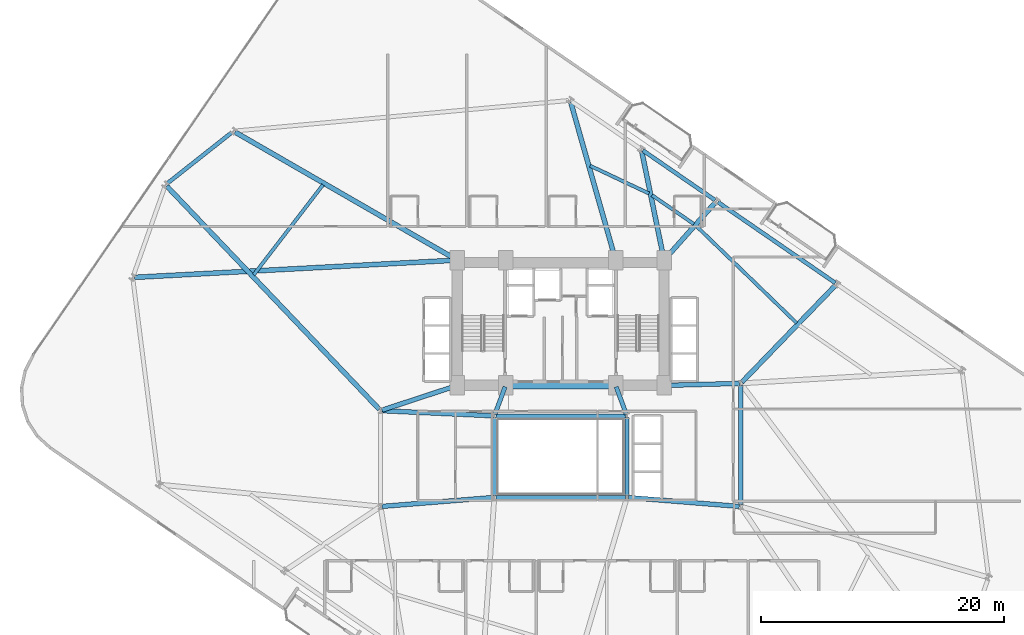
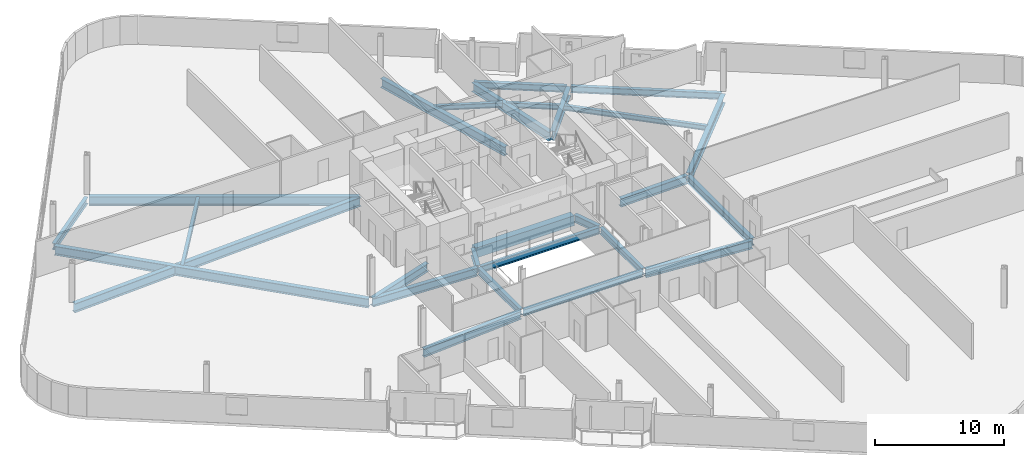
# One storey, part 5 of 24: 27 beams.
"""IFC4 building model written with IfcOpenShell, lengths in metres."""

from ifc_helpers import new_model, si_unit, direction, frame, origin, origin_2d, place, context, subcontext, project, spatial, rectangle, i_section, extrude, material, material_profile, profile_set, type_object, element, save


model = new_model("IFC4")

# Units and contexts
model_context = context("Model", 3, precision=1e-05, world=origin(), true_north=direction((0.0, 1.0)))
body_context = subcontext(model_context, "Body", "Model", "MODEL_VIEW")
ifc_project = project(units=[si_unit("LENGTHUNIT", "METRE"), si_unit("AREAUNIT", "SQUARE_METRE"), si_unit("VOLUMEUNIT", "CUBIC_METRE"), si_unit("PLANEANGLEUNIT", "RADIAN"), si_unit("MASSUNIT", "GRAM", prefix="KILO")], contexts=[model_context])

# Site, building, storey
site_placement = place(None, origin())
site = spatial("IfcSite", under=ifc_project, at=site_placement, CompositionType="ELEMENT")
building_placement = place(site_placement, origin())
building = spatial("IfcBuilding", under=site, at=building_placement, Name="Varnelok Gate Tower", CompositionType="ELEMENT")
storey_placement = place(building_placement, frame((0.0, 0.0, 67.699951171875)))
storey = spatial("IfcBuildingStorey", under=building, at=storey_placement, Name="L16", CompositionType="ELEMENT", Elevation=67.699951171875)

# Beams
ifc_material_1 = material(Name="Structural Steel ASTM A992 Grade 50", Category="steel")
ifc_material_profile_1 = material_profile(ifc_material_1, i_section(OverallWidth=0.280029296875, OverallDepth=0.462890625, WebThickness=0.0107421875, FlangeThickness=0.017333984375, FilletRadius=0.014892578125, at=origin_2d()), Name="W18X76")
ifc_profile_set_1 = profile_set([ifc_material_profile_1], Name="Structural Steel ASTM A992 Grade 50")
beam_type_1 = type_object("IfcBeamType", Name="BM-JST-W18X76", PredefinedType="JOIST", material=ifc_profile_set_1)
beam_1_placement = place(storey_placement, frame((58.5947265625, 33.877197265625, -0.4814453125), z_axis=(-0.718874345173, 0.695140040461, 0.0), x_axis=(-0.695140040461, -0.718874345173, 0.0)))
element("IfcBeam", 1, at=beam_1_placement, inside=storey, type_object=beam_type_1, Name="L16 Sector Floor Joist 7", PredefinedType="JOIST", context=body_context, shape_type="SweptSolid", body=[
    extrude(i_section(OverallWidth=0.280029296875, OverallDepth=0.462890625, WebThickness=0.0107421875, FlangeThickness=0.017333984375, FilletRadius=0.014892578125, at=origin_2d()), origin(), (0.0, 0.0, 1.0), 11.44873046875),
])
beam_2_placement = place(storey_placement, frame((50.1484375, 42.012451171875, -0.4814453125), z_axis=(-0.823530629051, 0.567271806998, 0.0), x_axis=(-0.567271806998, -0.823530629051, 0.0)))
element("IfcBeam", 2, at=beam_2_placement, inside=storey, type_object=beam_type_1, Name="L16 Sector Floor Joist 8", PredefinedType="JOIST", context=body_context, shape_type="SweptSolid", body=[
    extrude(i_section(OverallWidth=0.280029296875, OverallDepth=0.462890625, WebThickness=0.0107421875, FlangeThickness=0.017333984375, FilletRadius=0.014892578125, at=origin_2d()), origin(), (0.0, 0.0, 1.0), 4.182373046875),
])
beam_3_placement = place(storey_placement, frame((46.462158203125, 44.524169921875, -0.4814453125), z_axis=(-0.904778340288, 0.425882794846, 0.0), x_axis=(-0.425882794846, -0.904778340288, 0.0)))
element("IfcBeam", 3, at=beam_3_placement, inside=storey, type_object=beam_type_1, Name="L16 Sector Floor Joist 9", PredefinedType="JOIST", context=body_context, shape_type="SweptSolid", body=[
    extrude(i_section(OverallWidth=0.280029296875, OverallDepth=0.462890625, WebThickness=0.0107421875, FlangeThickness=0.017333984375, FilletRadius=0.014892578125, at=origin_2d()), origin(), (0.0, 0.0, 1.0), 5.3466796875),
])
beam_4_placement = place(storey_placement, frame((19.67578125, 45.244384765625, -0.4814453125), z_axis=(-0.609902498527, -0.792476461663, 0.0), x_axis=(0.792476461663, -0.609902498527, 0.0)))
element("IfcBeam", 4, at=beam_4_placement, inside=storey, type_object=beam_type_1, Name="L16 Sector Floor Joist 10", PredefinedType="JOIST", context=body_context, shape_type="SweptSolid", body=[
    extrude(i_section(OverallWidth=0.280029296875, OverallDepth=0.462890625, WebThickness=0.0107421875, FlangeThickness=0.017333984375, FilletRadius=0.014892578125, at=origin_2d()), origin(), (0.0, 0.0, 1.0), 9.3525390625),
])
ifc_material_2 = material(Name="Concrete C60/75", Category="concrete")
ifc_material_profile_2 = material_profile(ifc_material_2, rectangle(XDim=0.60009765625, YDim=0.949951171875, at=origin_2d()), Name="RC950X600")
ifc_profile_set_2 = profile_set([ifc_material_profile_2], Name="Concrete C60/75")
beam_type_2 = type_object("IfcBeamType", Name="BM-LNT-RC950", PredefinedType="LINTEL", material=ifc_profile_set_2)
beam_5_placement = place(storey_placement, frame((34.800048828125, 28.75, -0.724853515625), z_axis=(1.0, 0.0, 0.0), x_axis=(0.0, 1.0, 0.0)))
element("IfcBeam", 5, at=beam_5_placement, inside=storey, type_object=beam_type_2, Name="L16 Core-Atrium Spine Beam 7", PredefinedType="LINTEL", context=body_context, shape_type="SweptSolid", body=[
    extrude(rectangle(XDim=0.60009765625, YDim=0.949951171875, at=origin_2d()), origin(), (0.0, 0.0, 1.0), 8.800048828125),
])
ifc_material_profile_3 = material_profile(ifc_material_1, i_section(OverallWidth=0.35498046875, OverallDepth=0.696044921875, WebThickness=0.015380859375, FlangeThickness=0.02490234375, FilletRadius=0.02001953125, at=origin_2d()), Name="W27X146")
ifc_profile_set_3 = profile_set([ifc_material_profile_3], Name="Structural Steel ASTM A992 Grade 50")
beam_type_3 = type_object("IfcBeamType", Name="BM-PRI-W27X146", PredefinedType="BEAM", material=ifc_profile_set_3)
for number, where, z_axis, x_axis, name in (
    (6, (33.791748046875, 26.362548828125, -0.597900390625), (0.348719329408, 0.937227202602, 0.0), (-0.937227202602, 0.348719329408, 0.0), "L16 Core-Atrium Spine Beam 12"),
    (7, (44.608154296875, 26.362548828125, -0.597900390625), (-0.348719329408, 0.937227202602, 0.0), (-0.937227202602, -0.348719329408, 0.0), "L16 Core-Atrium Spine Beam 13"),
):
    element("IfcBeam", number, at=place(storey_placement, frame(where, z_axis=z_axis, x_axis=x_axis)), inside=storey, type_object=beam_type_3, Name=name, PredefinedType="BEAM", context=body_context, shape_type="SweptSolid", body=[
        extrude(i_section(OverallWidth=0.35498046875, OverallDepth=0.696044921875, WebThickness=0.015380859375, FlangeThickness=0.02490234375, FilletRadius=0.02001953125, at=origin_2d()), origin(), (0.0, 0.0, 1.0), 2.42724609375),
    ])
beam_6_placement = place(storey_placement, frame((54.0, 18.919921875, -0.597900390625), z_axis=(0.0, 1.0, 0.0), x_axis=(-1.0, 0.0, 0.0)))
element("IfcBeam", 8, at=beam_6_placement, inside=storey, type_object=beam_type_3, Name="L16 Core-Atrium Spine Beam 20", PredefinedType="BEAM", context=body_context, shape_type="SweptSolid", body=[
    extrude(i_section(OverallWidth=0.35498046875, OverallDepth=0.696044921875, WebThickness=0.015380859375, FlangeThickness=0.02490234375, FilletRadius=0.02001953125, at=origin_2d()), origin(), (0.0, 0.0, 1.0), 9.880126953125),
])
ifc_material_profile_4 = material_profile(ifc_material_1, i_section(OverallWidth=0.381103515625, OverallDepth=0.77294921875, WebThickness=0.0166015625, FlangeThickness=0.027099609375, FilletRadius=0.02197265625, at=origin_2d()), Name="W30X173")
ifc_profile_set_4 = profile_set([ifc_material_profile_4], Name="Structural Steel ASTM A992 Grade 50")
beam_type_4 = type_object("IfcBeamType", Name="BM-PRI-W30X173", PredefinedType="BEAM", material=ifc_profile_set_4)
beam_7_placement = place(storey_placement, frame((24.51953125, 18.8095703125, -0.636474609375), z_axis=(0.996799206292, 0.07994587128, 0.0), x_axis=(-0.07994587128, 0.996799206292, 0.0)))
element("IfcBeam", 9, at=beam_7_placement, inside=storey, type_object=beam_type_4, Name="L16 Core-Atrium Spine Beam 14", PredefinedType="BEAM", context=body_context, shape_type="SweptSolid", body=[
    extrude(i_section(OverallWidth=0.381103515625, OverallDepth=0.77294921875, WebThickness=0.0166015625, FlangeThickness=0.027099609375, FilletRadius=0.02197265625, at=origin_2d()), origin(), (0.0, 0.0, 1.0), 9.14013671875),
])
beam_8_placement = place(storey_placement, frame((24.52001953125, 26.674560546875, -0.636474609375), z_axis=(0.99894427814, -0.045938319209, 0.0), x_axis=(0.045938319209, 0.99894427814, 0.0)))
element("IfcBeam", 10, at=beam_8_placement, inside=storey, type_object=beam_type_4, Name="L16 Core-Atrium Spine Beam 15", PredefinedType="BEAM", context=body_context, shape_type="SweptSolid", body=[
    extrude(i_section(OverallWidth=0.381103515625, OverallDepth=0.77294921875, WebThickness=0.0166015625, FlangeThickness=0.027099609375, FilletRadius=0.02197265625, at=origin_2d()), origin(), (0.0, 0.0, 1.0), 9.11962890625),
])
beam_9_placement = place(storey_placement, frame((24.513916015625, 26.717529296875, -0.636474609375), z_axis=(0.950041943788, 0.312122259768, 0.0), x_axis=(-0.312122259768, 0.950041943788, 0.0)))
element("IfcBeam", 11, at=beam_9_placement, inside=storey, type_object=beam_type_4, Name="L16 Core-Atrium Spine Beam 17", PredefinedType="BEAM", context=body_context, shape_type="SweptSolid", body=[
    extrude(i_section(OverallWidth=0.381103515625, OverallDepth=0.77294921875, WebThickness=0.0166015625, FlangeThickness=0.027099609375, FilletRadius=0.02197265625, at=origin_2d()), origin(), (0.0, 0.0, 1.0), 6.391357421875),
])
beam_10_placement = place(storey_placement, frame((44.76953125, 19.540283203125, -0.636474609375), z_axis=(0.996799206292, -0.07994587128, 0.0), x_axis=(0.07994587128, 0.996799206292, 0.0)))
element("IfcBeam", 12, at=beam_10_placement, inside=storey, type_object=beam_type_4, Name="L16 Core-Atrium Spine Beam 18", PredefinedType="BEAM", context=body_context, shape_type="SweptSolid", body=[
    extrude(i_section(OverallWidth=0.381103515625, OverallDepth=0.77294921875, WebThickness=0.0166015625, FlangeThickness=0.027099609375, FilletRadius=0.02197265625, at=origin_2d()), origin(), (0.0, 0.0, 1.0), 9.14013671875),
])
beam_11_placement = place(storey_placement, frame((47.820068359375, 28.753173828125, -0.636474609375), z_axis=(0.999635880609, 0.026983443053, 0.0), x_axis=(-0.026983443053, 0.999635880609, 0.0)))
element("IfcBeam", 13, at=beam_11_placement, inside=storey, type_object=beam_type_4, Name="L16 Core-Atrium Spine Beam 19", PredefinedType="BEAM", context=body_context, shape_type="SweptSolid", body=[
    extrude(i_section(OverallWidth=0.381103515625, OverallDepth=0.77294921875, WebThickness=0.0166015625, FlangeThickness=0.027099609375, FilletRadius=0.02197265625, at=origin_2d()), origin(), (0.0, 0.0, 1.0), 6.06201171875),
])
ifc_material_profile_5 = material_profile(ifc_material_1, i_section(OverallWidth=0.39892578125, OverallDepth=0.85498046875, WebThickness=0.018310546875, FlangeThickness=0.029296875, FilletRadius=0.02392578125, at=origin_2d()), Name="W33X201")
ifc_profile_set_5 = profile_set([ifc_material_profile_5], Name="Structural Steel ASTM A992 Grade 50")
beam_type_5 = type_object("IfcBeamType", Name="BM-PRI-W33X201", PredefinedType="BEAM", material=ifc_profile_set_5)
beam_12_placement = place(storey_placement, frame((54.104248046875, 29.02783203125, -0.677490234375), z_axis=(0.694813956558, 0.719189520066, 0.0), x_axis=(-0.719189520066, 0.694813956558, 0.0)))
element("IfcBeam", 14, at=beam_12_placement, inside=storey, type_object=beam_type_5, Name="L16 Radial Floor Girder 10", PredefinedType="BEAM", context=body_context, shape_type="SweptSolid", body=[
    extrude(i_section(OverallWidth=0.39892578125, OverallDepth=0.85498046875, WebThickness=0.018310546875, FlangeThickness=0.029296875, FilletRadius=0.02392578125, at=origin_2d()), origin(), (0.0, 0.0, 1.0), 11.057373046875),
])
beam_13_placement = place(storey_placement, frame((47.7998046875, 39.162109375, -0.677490234375), z_axis=(0.664520653518, 0.747269898395, 0.0), x_axis=(-0.747269898395, 0.664520653518, 0.0)))
element("IfcBeam", 15, at=beam_13_placement, inside=storey, type_object=beam_type_5, Name="L16 Radial Floor Girder 11", PredefinedType="BEAM", context=body_context, shape_type="SweptSolid", body=[
    extrude(i_section(OverallWidth=0.39892578125, OverallDepth=0.85498046875, WebThickness=0.018310546875, FlangeThickness=0.029296875, FilletRadius=0.02392578125, at=origin_2d()), origin(), (0.0, 0.0, 1.0), 6.18408203125),
])
beam_14_placement = place(storey_placement, frame((47.669921875, 39.197021484375, -0.677490234375), z_axis=(-0.201054404261, 0.979580076628, 0.0), x_axis=(-0.979580076628, -0.201054404261, 0.0)))
element("IfcBeam", 16, at=beam_14_placement, inside=storey, type_object=beam_type_5, Name="L16 Radial Floor Girder 12", PredefinedType="BEAM", context=body_context, shape_type="SweptSolid", body=[
    extrude(i_section(OverallWidth=0.39892578125, OverallDepth=0.85498046875, WebThickness=0.018310546875, FlangeThickness=0.029296875, FilletRadius=0.02392578125, at=origin_2d()), origin(), (0.0, 0.0, 1.0), 8.989501953125),
])
beam_15_placement = place(storey_placement, frame((43.678955078125, 39.1943359375, -0.677490234375), z_axis=(-0.273636323057, 0.961833230193, 0.0), x_axis=(-0.961833230193, -0.273636323057, 0.0)))
element("IfcBeam", 17, at=beam_15_placement, inside=storey, type_object=beam_type_5, Name="L16 Radial Floor Girder 13", PredefinedType="BEAM", context=body_context, shape_type="SweptSolid", body=[
    extrude(i_section(OverallWidth=0.39892578125, OverallDepth=0.85498046875, WebThickness=0.018310546875, FlangeThickness=0.029296875, FilletRadius=0.02392578125, at=origin_2d()), origin(), (0.0, 0.0, 1.0), 13.348388671875),
])
beam_16_placement = place(storey_placement, frame((30.570068359375, 39.125, -0.677490234375), z_axis=(-0.866373398512, 0.499396770465, 0.0), x_axis=(-0.499396770465, -0.866373398512, 0.0)))
element("IfcBeam", 18, at=beam_16_placement, inside=storey, type_object=beam_type_5, Name="L16 Radial Floor Girder 14", PredefinedType="BEAM", context=body_context, shape_type="SweptSolid", body=[
    extrude(i_section(OverallWidth=0.39892578125, OverallDepth=0.85498046875, WebThickness=0.018310546875, FlangeThickness=0.029296875, FilletRadius=0.02392578125, at=origin_2d()), origin(), (0.0, 0.0, 1.0), 20.920166015625),
])
beam_17_placement = place(storey_placement, frame((24.296630859375, 26.78857421875, -0.677490234375), z_axis=(-0.68957548794, 0.72421381265, 0.0), x_axis=(-0.72421381265, -0.68957548794, 0.0)))
element("IfcBeam", 19, at=beam_17_placement, inside=storey, type_object=beam_type_5, Name="L16 Radial Floor Girder 15", PredefinedType="BEAM", context=body_context, shape_type="SweptSolid", body=[
    extrude(i_section(OverallWidth=0.39892578125, OverallDepth=0.85498046875, WebThickness=0.018310546875, FlangeThickness=0.029296875, FilletRadius=0.02392578125, at=origin_2d()), origin(), (0.0, 0.0, 1.0), 25.324462890625),
])
beam_18_placement = place(storey_placement, frame((30.55029296875, 39.0419921875, -0.677490234375), z_axis=(-0.998572952572, -0.053404666383, 0.0), x_axis=(0.053404666383, -0.998572952572, 0.0)))
element("IfcBeam", 20, at=beam_18_placement, inside=storey, type_object=beam_type_5, Name="L16 Radial Floor Girder 16", PredefinedType="BEAM", context=body_context, shape_type="SweptSolid", body=[
    extrude(i_section(OverallWidth=0.39892578125, OverallDepth=0.85498046875, WebThickness=0.018310546875, FlangeThickness=0.029296875, FilletRadius=0.02392578125, at=origin_2d()), origin(), (0.0, 0.0, 1.0), 26.405029296875),
])
ifc_material_profile_6 = material_profile(ifc_material_1, i_section(OverallWidth=0.323974609375, OverallDepth=0.611083984375, WebThickness=0.0126953125, FlangeThickness=0.01904296875, FilletRadius=0.01806640625, at=origin_2d()), Name="W24X104")
ifc_profile_set_6 = profile_set([ifc_material_profile_6], Name="Structural Steel ASTM A992 Grade 50")
beam_type_6 = type_object("IfcBeamType", Name="BM-SPN-W24X104", PredefinedType="SPANDREL", material=ifc_profile_set_6)
for number, where, z_axis, x_axis, name in (
    (21, (33.8701171875, 19.550048828125, -0.555419921875), (1.0, 0.0, 0.0), (0.0, 1.0, 0.0), "L16 Core-Atrium Spine Beam 8"),
    (22, (33.8701171875, 26.25, -0.555419921875), (1.0, 0.0, 0.0), (0.0, 1.0, 0.0), "L16 Core-Atrium Spine Beam 9"),
):
    element("IfcBeam", number, at=place(storey_placement, frame(where, z_axis=z_axis, x_axis=x_axis)), inside=storey, type_object=beam_type_6, Name=name, PredefinedType="SPANDREL", context=body_context, shape_type="SweptSolid", body=[
        extrude(i_section(OverallWidth=0.323974609375, OverallDepth=0.611083984375, WebThickness=0.0126953125, FlangeThickness=0.01904296875, FilletRadius=0.01806640625, at=origin_2d()), origin(), (0.0, 0.0, 1.0), 10.659912109375),
    ])
for number, where, z_axis, x_axis, name in (
    (23, (33.75, 19.669921875, -0.555419921875), (0.0, 1.0, 0.0), (-1.0, 0.0, 0.0), "L16 Core-Atrium Spine Beam 10"),
    (24, (44.64990234375, 19.669921875, -0.555419921875), (0.0, 1.0, 0.0), (-1.0, 0.0, 0.0), "L16 Core-Atrium Spine Beam 11"),
):
    element("IfcBeam", number, at=place(storey_placement, frame(where, z_axis=z_axis, x_axis=x_axis)), inside=storey, type_object=beam_type_6, Name=name, PredefinedType="SPANDREL", context=body_context, shape_type="SweptSolid", body=[
        extrude(i_section(OverallWidth=0.323974609375, OverallDepth=0.611083984375, WebThickness=0.0126953125, FlangeThickness=0.01904296875, FilletRadius=0.01806640625, at=origin_2d()), origin(), (0.0, 0.0, 1.0), 6.4599609375),
    ])
beam_19_placement = place(storey_placement, frame((61.767822265625, 37.173095703125, -0.555419921875), z_axis=(-0.82353077968, 0.567271588324, 0.0), x_axis=(-0.567271588324, -0.82353077968, 0.0)))
element("IfcBeam", 25, at=beam_19_placement, inside=storey, type_object=beam_type_6, Name="L16 Perimeter Spandrel Beam 10", PredefinedType="SPANDREL", context=body_context, shape_type="SweptSolid", body=[
    extrude(i_section(OverallWidth=0.323974609375, OverallDepth=0.611083984375, WebThickness=0.0126953125, FlangeThickness=0.01904296875, FilletRadius=0.01806640625, at=origin_2d()), origin(), (0.0, 0.0, 1.0), 11.7001953125),
])
beam_20_placement = place(storey_placement, frame((51.885498046875, 43.98046875, -0.555419921875), z_axis=(-0.823550897395, 0.567242381527, 0.0), x_axis=(-0.567242381527, -0.823550897395, 0.0)))
element("IfcBeam", 26, at=beam_20_placement, inside=storey, type_object=beam_type_6, Name="L16 Perimeter Spandrel Beam 11", PredefinedType="SPANDREL", context=body_context, shape_type="SweptSolid", body=[
    extrude(i_section(OverallWidth=0.323974609375, OverallDepth=0.611083984375, WebThickness=0.0126953125, FlangeThickness=0.01904296875, FilletRadius=0.01806640625, at=origin_2d()), origin(), (0.0, 0.0, 1.0), 7.2001953125),
])
beam_21_placement = place(storey_placement, frame((12.197509765625, 49.554443359375, -0.555419921875), z_axis=(-0.784860761341, -0.619672159538, 0.0), x_axis=(0.619672159538, -0.784860761341, 0.0)))
element("IfcBeam", 27, at=beam_21_placement, inside=storey, type_object=beam_type_6, Name="L16 Perimeter Spandrel Beam 14", PredefinedType="SPANDREL", context=body_context, shape_type="SweptSolid", body=[
    extrude(i_section(OverallWidth=0.323974609375, OverallDepth=0.611083984375, WebThickness=0.0126953125, FlangeThickness=0.01904296875, FilletRadius=0.01806640625, at=origin_2d()), origin(), (0.0, 0.0, 1.0), 6.81640625),
])

save(model, "model.ifc")
